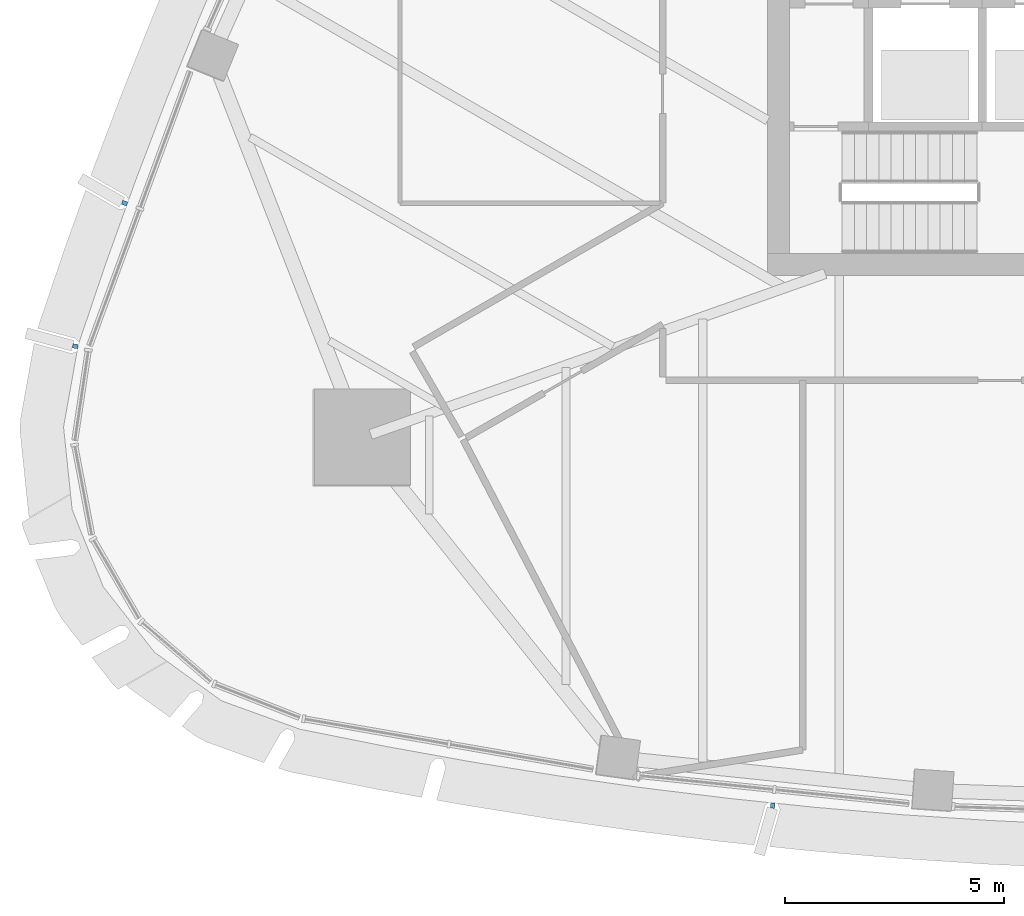
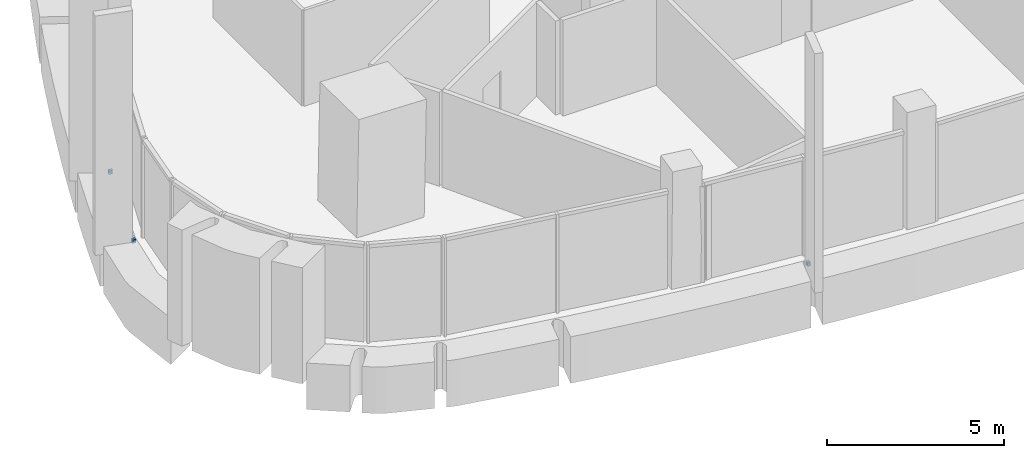
# One storey, part 12 of 16: 3 discrete accessories.
"""IFC4 building model written with IfcOpenShell, lengths in metres."""

from ifc_helpers import new_model, si_unit, direction, frame, origin, origin_2d, place, context, subcontext, project, spatial, rectangle, extrude, material, type_object, element, save


model = new_model("IFC4")

# Units and contexts
model_context = context("Model", 3, precision=1e-05, world=origin(), true_north=direction((0.0, 1.0)))
body_context = subcontext(model_context, "Body", "Model", "MODEL_VIEW")
ifc_project = project(units=[si_unit("LENGTHUNIT", "METRE"), si_unit("AREAUNIT", "SQUARE_METRE"), si_unit("VOLUMEUNIT", "CUBIC_METRE"), si_unit("PLANEANGLEUNIT", "RADIAN"), si_unit("MASSUNIT", "GRAM", prefix="KILO")], contexts=[model_context])

# Site, building, storey
site_placement = place(None, origin())
site = spatial("IfcSite", under=ifc_project, at=site_placement, CompositionType="ELEMENT")
building_placement = place(site_placement, origin())
building = spatial("IfcBuilding", under=site, at=building_placement, Name="Sierra Prisma Convention Tower", CompositionType="ELEMENT")
storey_placement = place(building_placement, frame((0.0, 0.0, 303.0)))
storey = spatial("IfcBuildingStorey", under=building, at=storey_placement, Name="L69", CompositionType="ELEMENT", Elevation=303.0)

# Discrete accessories
ifc_material = material(Name="Stainless steel 316", Category="steel")
discrete_accessory_type = type_object("IfcDiscreteAccessoryType", Name="Fin bracket", PredefinedType="BRACKET", material=ifc_material)
for number, where, z_axis, x_axis, name in (
    (1, (-10.88525390625, -20.113037109375, -0.135009765625), (0.0, 0.0, 1.0), (-0.103246271836, -0.994655823565, 0.0), "Fin bracket L69.5 base"),
    (2, (-25.6884765625, -6.351318359375, -0.135009765625), (0.0, 0.0, 1.0), (-0.941093733543, 0.338145803887, 0.0), "Fin bracket L69.61 base"),
    (3, (-26.816162109375, -9.619873046875, -0.135009765625), (0.0, 0.0, 1.0), (-0.984432377569, 0.175763744824, 0.0), "Fin bracket L69.62 base"),
):
    element("IfcDiscreteAccessory", number, at=place(storey_placement, frame(where, z_axis=z_axis, x_axis=x_axis)), inside=storey, type_object=discrete_accessory_type, Name=name, PredefinedType="BRACKET", context=body_context, shape_type="SweptSolid", body=[
        extrude(rectangle(XDim=0.1201171875, YDim=0.10009765625, at=origin_2d()), origin(), (0.0, 0.0, 1.0), 0.1201171875),
    ])

save(model, "model.ifc")
